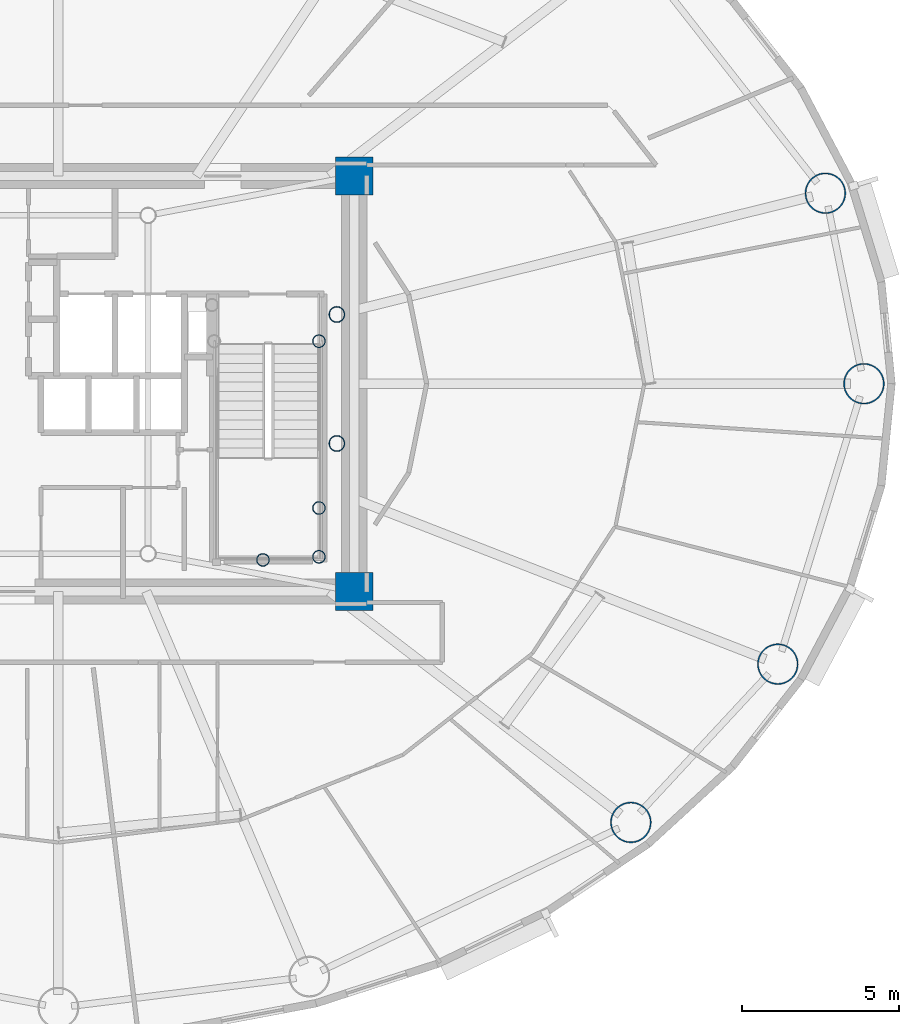
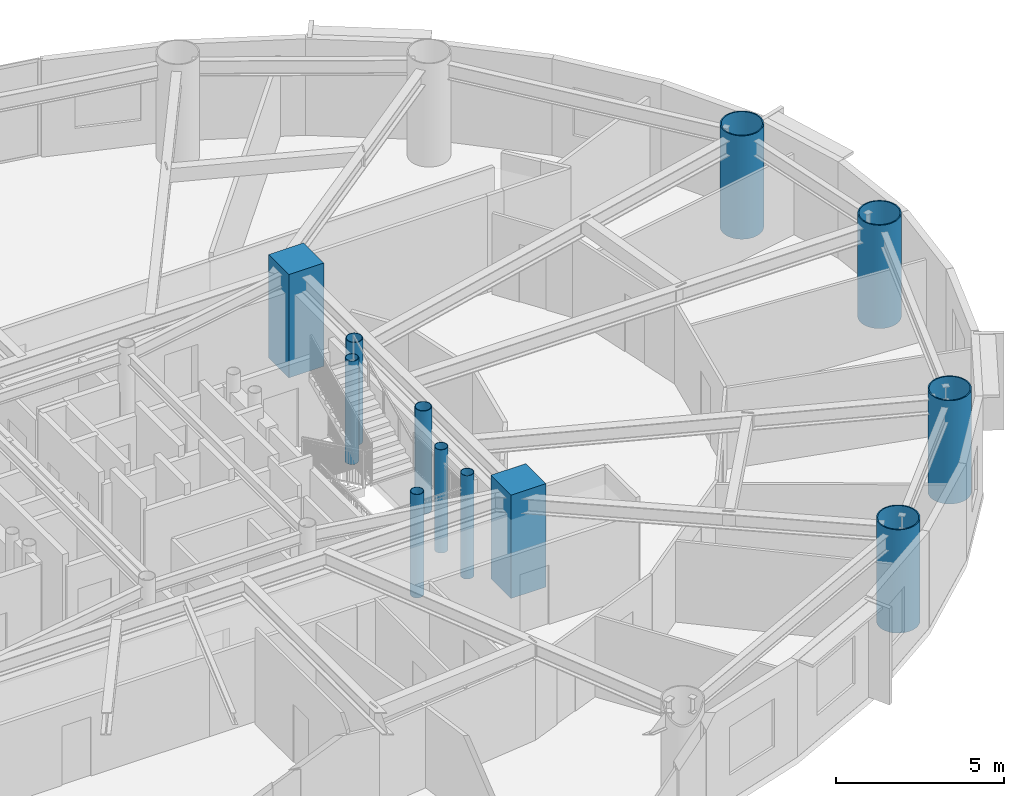
# One storey, part 2 of 21: 12 columns.
"""IFC4 building model written with IfcOpenShell, lengths in metres."""

from ifc_helpers import new_model, si_unit, direction, frame, origin, origin_2d, place, context, subcontext, project, spatial, rectangle, hollow_circle, extrude, material, material_profile, profile_set, type_object, element, save


model = new_model("IFC4")

# Units and contexts
model_context = context("Model", 3, precision=1e-05, world=origin(), true_north=direction((0.0, 1.0)))
body_context = subcontext(model_context, "Body", "Model", "MODEL_VIEW")
ifc_project = project(units=[si_unit("LENGTHUNIT", "METRE"), si_unit("AREAUNIT", "SQUARE_METRE"), si_unit("VOLUMEUNIT", "CUBIC_METRE"), si_unit("PLANEANGLEUNIT", "RADIAN"), si_unit("MASSUNIT", "GRAM", prefix="KILO")], contexts=[model_context])

# Site, building, storey
site_placement = place(None, origin())
site = spatial("IfcSite", under=ifc_project, at=site_placement, CompositionType="ELEMENT")
building_placement = place(site_placement, origin())
building = spatial("IfcBuilding", under=site, at=building_placement, Name="Linh Dai School and Residence Tower", CompositionType="ELEMENT")
storey_placement = place(building_placement, frame((0.0, 0.0, 171.14990234375)))
storey = spatial("IfcBuildingStorey", under=building, at=storey_placement, Name="L41", CompositionType="ELEMENT", Elevation=171.14990234375)

# Columns
ifc_material_1 = material(Name="Concrete B60 (C50/60)", Category="concrete")
ifc_material_profile_1 = material_profile(ifc_material_1, rectangle(XDim=1.199951171875, YDim=1.199951171875, at=origin_2d()), Name="RC 1200x1200")
ifc_profile_set_1 = profile_set([ifc_material_profile_1], Name="Concrete B60 (C50/60)")
column_type_1 = type_object("IfcColumnType", Name="COL-CC2", PredefinedType="COLUMN", material=ifc_profile_set_1)
for number, where, z_axis, x_axis, name in (
    (1, (45.39990234375, 20.39990234375, 0.0), (0.0, 0.0, 1.0), (1.0, 0.0, 0.0), "L41 Core Corner Pier CC2"),
    (2, (45.39990234375, 33.60009765625, 0.0), (0.0, 0.0, 1.0), (1.0, 0.0, 0.0), "L41 Core Corner Pier CC3"),
):
    element("IfcColumn", number, at=place(storey_placement, frame(where, z_axis=z_axis, x_axis=x_axis)), inside=storey, type_object=column_type_1, Name=name, PredefinedType="COLUMN", context=body_context, shape_type="SweptSolid", body=[
        extrude(rectangle(XDim=1.199951171875, YDim=1.199951171875, at=origin_2d()), origin(), (0.0, 0.0, 1.0), 3.75),
    ])
ifc_material_2 = material(Name="Structural Steel S355JR", Category="steel")
ifc_material_profile_2 = material_profile(ifc_material_2, hollow_circle(Radius=0.203125, WallThickness=0.01611328125, at=origin_2d()), Name="CHS 406.4x16")
ifc_profile_set_2 = profile_set([ifc_material_profile_2], Name="Structural Steel S355JR")
column_type_2 = type_object("IfcColumnType", Name="COL-EC", PredefinedType="COLUMN", material=ifc_profile_set_2)
for number, where, z_axis, x_axis, name in (
    (3, (44.280029296875, 21.5, 0.0), (0.0, 0.0, 1.0), (1.0, 0.0, 0.0), "L41 Stair Shaft Landing Support Pier ST2SE"),
    (4, (44.280029296875, 23.050048828125, 0.0), (0.0, 0.0, 1.0), (1.0, 0.0, 0.0), "L41 Stair Shaft Landing Support Pier ST2NE"),
    (5, (42.5, 21.39990234375, 0.0), (0.0, 0.0, 1.0), (1.0, 0.0, 0.0), "L41 Stair Shaft Landing Support Pier ST2MS"),
    (6, (44.280029296875, 28.35009765625, 0.0), (0.0, 0.0, 1.0), (1.0, 0.0, 0.0), "L41 Stair Shaft Landing Support Pier ST2N2"),
):
    element("IfcColumn", number, at=place(storey_placement, frame(where, z_axis=z_axis, x_axis=x_axis)), inside=storey, type_object=column_type_2, Name=name, PredefinedType="COLUMN", context=body_context, shape_type="SweptSolid", body=[
        extrude(hollow_circle(Radius=0.203125, WallThickness=0.01611328125, at=origin_2d()), origin(), (0.0, 0.0, 1.0), 3.75),
    ])
ifc_material_profile_3 = material_profile(ifc_material_2, hollow_circle(Radius=0.64990234375, WallThickness=0.0400390625, at=origin_2d()), Name="CHS 1300x40")
ifc_profile_set_3 = profile_set([ifc_material_profile_3], Name="Structural Steel S355JR")
column_type_3 = type_object("IfcColumnType", Name="COL-MC4", PredefinedType="COLUMN", material=ifc_profile_set_3)
for number, where, z_axis, x_axis, name in (
    (7, (61.60009765625, 27.0, 0.0), (0.0, 0.0, 1.0), (1.0, 0.0, 0.0), "L41 Perimeter CFT Mega-Column MC01"),
    (8, (60.37451171875, 33.053466796875, 0.0), (0.0, 0.0, 1.0), (1.0, 0.0, 0.0), "L41 Perimeter CFT Mega-Column MC02"),
    (9, (54.1923828125, 13.058349609375, 0.0), (0.0, 0.0, 1.0), (1.0, 0.0, 0.0), "L41 Perimeter CFT Mega-Column MC15"),
    (10, (58.862548828125, 18.0888671875, 0.0), (0.0, 0.0, 1.0), (1.0, 0.0, 0.0), "L41 Perimeter CFT Mega-Column MC16"),
):
    element("IfcColumn", number, at=place(storey_placement, frame(where, z_axis=z_axis, x_axis=x_axis)), inside=storey, type_object=column_type_3, Name=name, PredefinedType="COLUMN", context=body_context, shape_type="SweptSolid", body=[
        extrude(hollow_circle(Radius=0.64990234375, WallThickness=0.0400390625, at=origin_2d()), origin(), (0.0, 0.0, 1.0), 3.75),
    ])
ifc_material_profile_4 = material_profile(ifc_material_2, hollow_circle(Radius=0.25390625, WallThickness=0.02001953125, at=origin_2d()), Name="CHS 508x20")
ifc_profile_set_4 = profile_set([ifc_material_profile_4], Name="Structural Steel S355JR")
column_type_4 = type_object("IfcColumnType", Name="COL-MCP", PredefinedType="COLUMN", material=ifc_profile_set_4)
for number, where, z_axis, x_axis, name in (
    (11, (44.85009765625, 25.10009765625, 0.0), (0.0, 0.0, 1.0), (1.0, 0.0, 0.0), "L41 Sky-Lounge Core Anchor Pier S"),
    (12, (44.85009765625, 29.199951171875, 0.0), (0.0, 0.0, 1.0), (1.0, 0.0, 0.0), "L41 Sky-Lounge Core Anchor Pier N"),
):
    element("IfcColumn", number, at=place(storey_placement, frame(where, z_axis=z_axis, x_axis=x_axis)), inside=storey, type_object=column_type_4, Name=name, PredefinedType="COLUMN", context=body_context, shape_type="SweptSolid", body=[
        extrude(hollow_circle(Radius=0.25390625, WallThickness=0.02001953125, at=origin_2d()), origin(), (0.0, 0.0, 1.0), 3.75),
    ])

save(model, "model.ifc")
